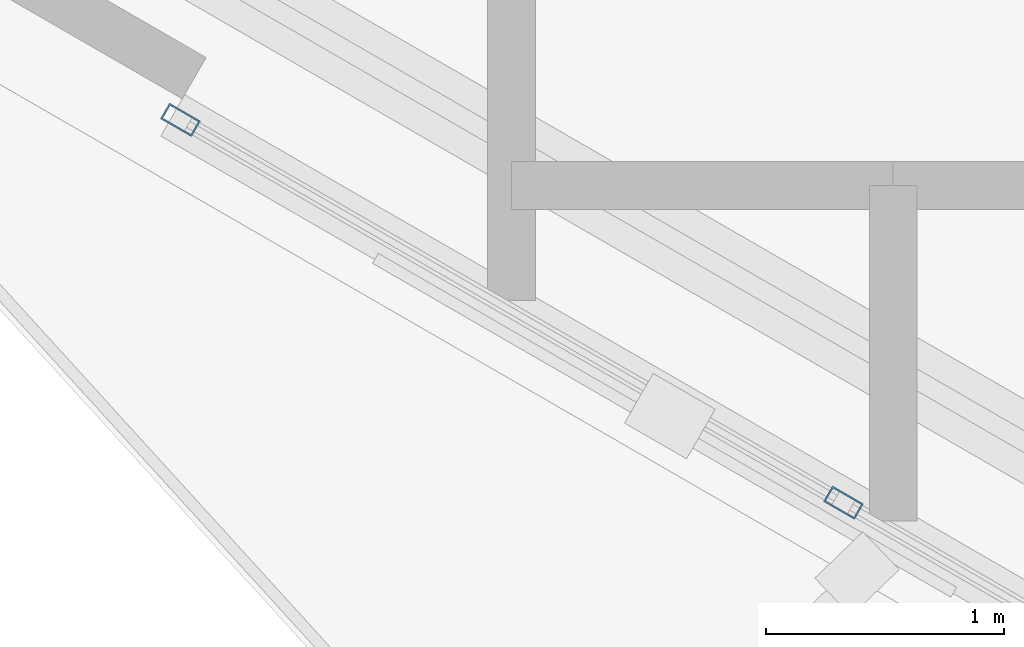
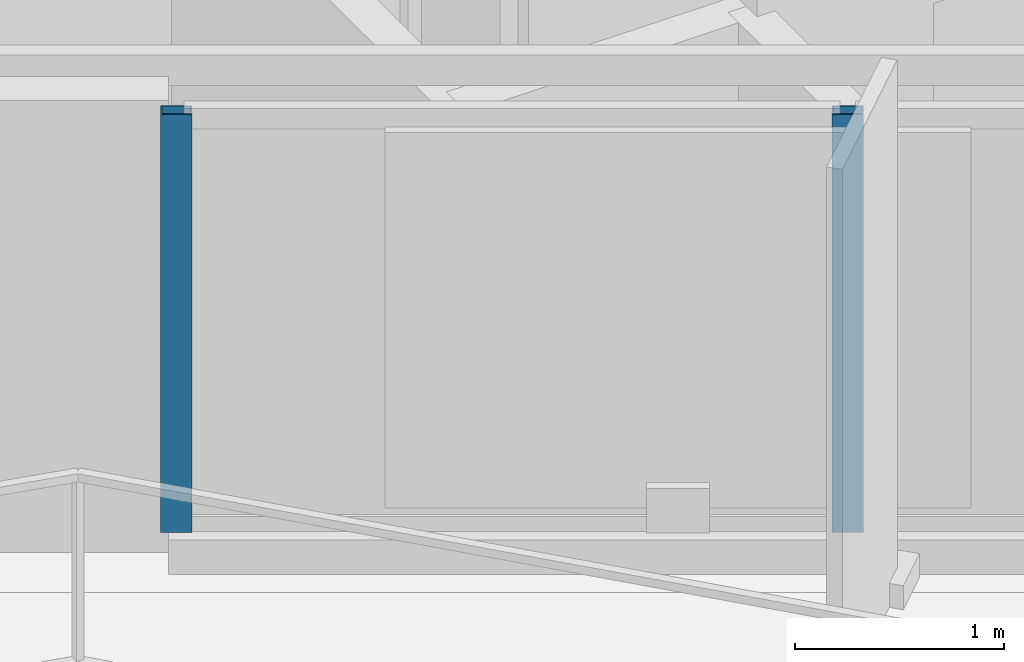
# One storey, part 2 of 22: 2 members, 1 element without a shape of its own.
"""IFC4 building model written with IfcOpenShell, lengths in metres."""

from ifc_helpers import new_model, si_unit, direction, frame, origin, origin_2d, place, context, subcontext, project, spatial, hollow_rectangle, extrude, material, layer, layer_set, material_profile, profile_set, type_object, element, aggregate, save


model = new_model("IFC4")

# Units and contexts
model_context = context("Model", 3, precision=1e-05, world=origin(), true_north=direction((0.0, 1.0)))
body_context = subcontext(model_context, "Body", "Model", "MODEL_VIEW")
ifc_project = project(units=[si_unit("LENGTHUNIT", "METRE"), si_unit("AREAUNIT", "SQUARE_METRE"), si_unit("VOLUMEUNIT", "CUBIC_METRE"), si_unit("PLANEANGLEUNIT", "RADIAN"), si_unit("MASSUNIT", "GRAM", prefix="KILO")], contexts=[model_context])

# Site, building, storey
site_placement = place(None, origin())
site = spatial("IfcSite", under=ifc_project, at=site_placement, CompositionType="ELEMENT")
building_placement = place(site_placement, origin())
building = spatial("IfcBuilding", under=site, at=building_placement, Name="Mersakhor Tower and Convention Hall", CompositionType="ELEMENT")
storey_placement = place(building_placement, frame((0.0, 0.0, 167.39990234375)))
storey = spatial("IfcBuildingStorey", under=building, at=storey_placement, Name="L46", CompositionType="ELEMENT", Elevation=167.39990234375)

# Curtain wall, members
ifc_material_1 = material(Name="Dark solar low-E aluminium curtain wall", Category="aluminium")
ifc_layer = layer(ifc_material_1, 0.169921875)
ifc_layer_set = layer_set([ifc_layer], Name="Dark solar low-E aluminium curtain wall")
curtain_wall_type = type_object("IfcCurtainWallType", Name="CW-SYS-02", PredefinedType="USERDEFINED", material=ifc_layer_set)
curtain_wall_placement = place(storey_placement, origin())
curtain_wall = element("IfcCurtainWall", 1, at=curtain_wall_placement, inside=storey, type_object=curtain_wall_type, Name="L46 Dark-Glass Curtain Wall F3-B2", ObjectType="CURTAIN WALL", PredefinedType="USERDEFINED")
ifc_material_2 = material(Name="Anodised aluminium EN AW-6063 T6", Category="aluminium")
ifc_material_profile = material_profile(ifc_material_2, hollow_rectangle(XDim=0.074951171875, YDim=0.14990234375, WallThickness=0.00634765625, at=origin_2d()), Name="RHS 150x75x6.3")
ifc_profile_set = profile_set([ifc_material_profile], Name="Anodised aluminium EN AW-6063 T6")
member_type = type_object("IfcMemberType", Name="CWM-150x75", PredefinedType="MULLION", material=ifc_profile_set)
member_1_placement = place(storey_placement, frame((21.391845703125, 16.81982421875, 0.2001953125), z_axis=(0.0, 0.0, 1.0), x_axis=(-0.499998484116, -0.866026278978, 0.0)))
member_1 = element("IfcMember", 2, at=member_1_placement, type_object=member_type, Name="CW-02 mullion 3", PredefinedType="MULLION", context=body_context, shape_type="SweptSolid", body=[
    extrude(hollow_rectangle(XDim=0.074951171875, YDim=0.14990234375, WallThickness=0.00634765625, at=origin_2d()), origin(), (0.0, 0.0, 1.0), 2.43994140625),
])
member_2_placement = place(storey_placement, frame((18.612060546875, 18.4248046875, 0.2001953125), z_axis=(0.0, 0.0, 1.0), x_axis=(-0.499998484116, -0.866026278978, 0.0)))
member_2 = element("IfcMember", 3, at=member_2_placement, type_object=member_type, Name="CW-02 mullion 4", PredefinedType="MULLION", context=body_context, shape_type="SweptSolid", body=[
    extrude(hollow_rectangle(XDim=0.074951171875, YDim=0.14990234375, WallThickness=0.00634765625, at=origin_2d()), origin(), (0.0, 0.0, 1.0), 2.43994140625),
])
aggregate(curtain_wall, [member_1, member_2])

save(model, "model.ifc")
